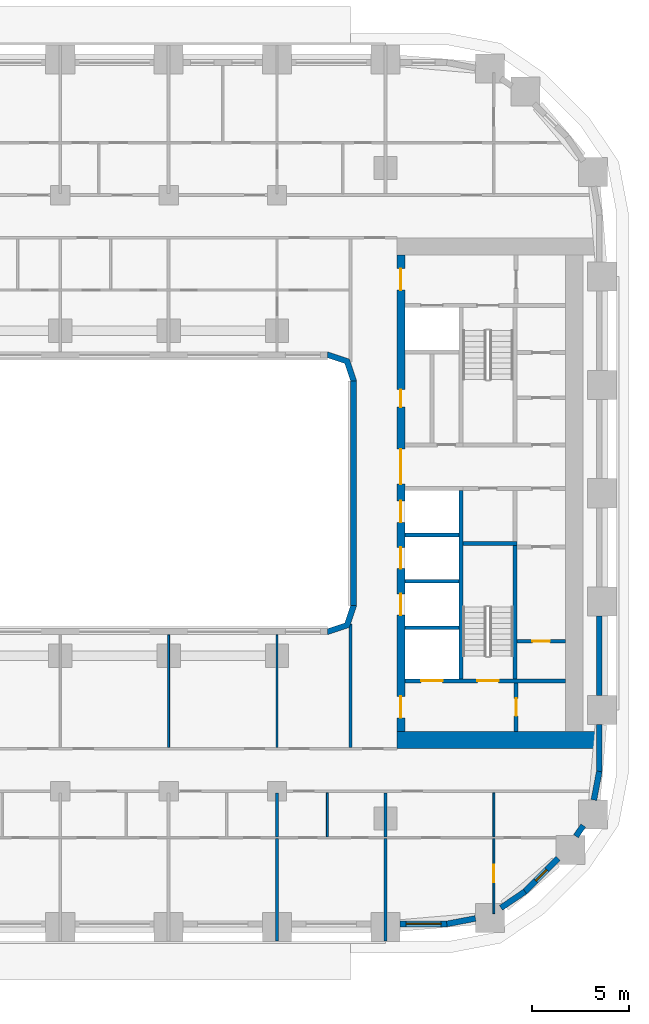
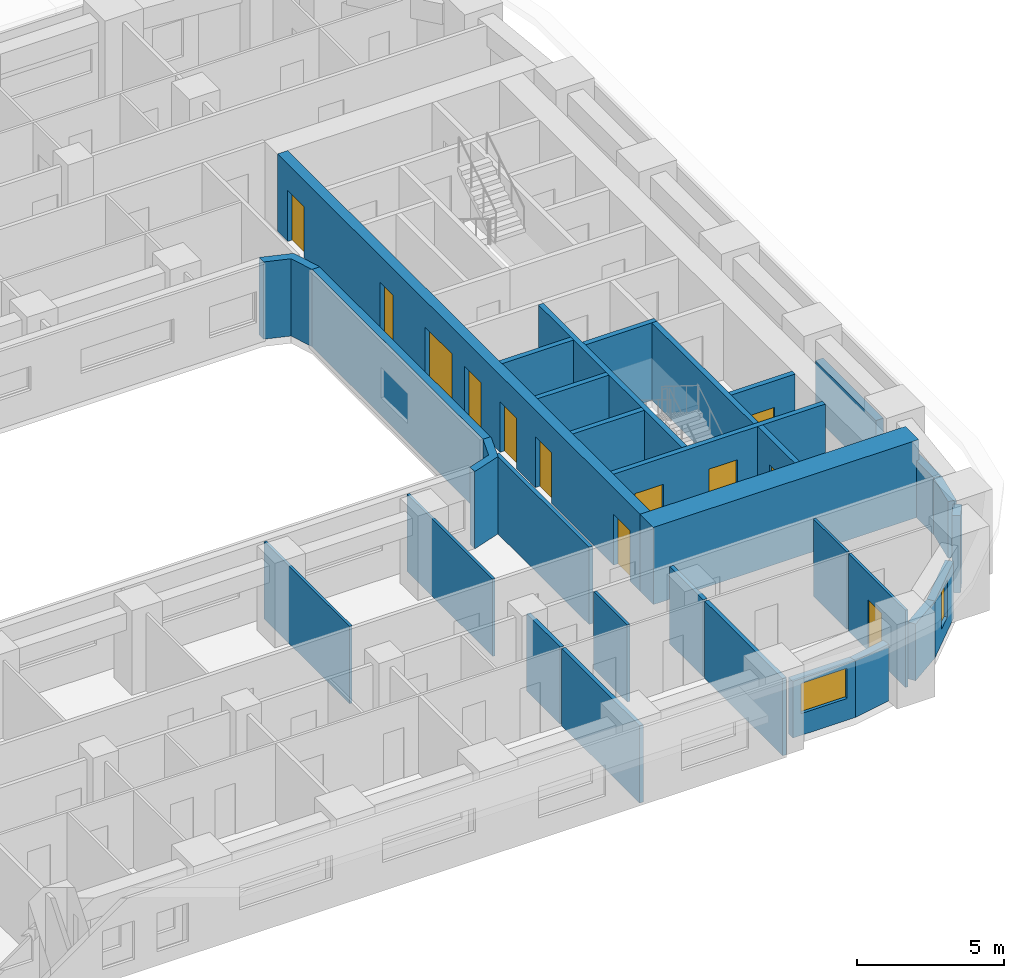
# One storey, part 6 of 21: 32 walls, 12 doors, 2 windows, 14 openings.
"""IFC4 building model written with IfcOpenShell, lengths in metres."""

from ifc_helpers import new_model, si_unit, direction, frame, frame_2d, origin, place, context, subcontext, project, spatial, polyline, rectangle, outline, extrude, material, layer, layer_set, type_object, element, fill, save


model = new_model("IFC4")

# Units and contexts
model_context = context("Model", 3, precision=1e-05, world=origin(), true_north=direction((0.0, 1.0)))
body_context = subcontext(model_context, "Body", "Model", "MODEL_VIEW")
ifc_project = project(units=[si_unit("LENGTHUNIT", "METRE"), si_unit("AREAUNIT", "SQUARE_METRE"), si_unit("VOLUMEUNIT", "CUBIC_METRE"), si_unit("PLANEANGLEUNIT", "RADIAN"), si_unit("MASSUNIT", "GRAM", prefix="KILO")], contexts=[model_context])

# Site, building, storey
site_placement = place(None, origin())
site = spatial("IfcSite", under=ifc_project, at=site_placement, CompositionType="ELEMENT")
building_placement = place(site_placement, origin())
building = spatial("IfcBuilding", under=site, at=building_placement, Name="Kiln Ring Residences", CompositionType="ELEMENT")
storey_placement = place(building_placement, frame((0.0, 0.0, 41.0)))
storey = spatial("IfcBuildingStorey", under=building, at=storey_placement, Name="L09", CompositionType="ELEMENT", Elevation=41.0)

# Wall, opening, door
ifc_material_1 = material(Name="Gypsum board on steel studs", Category="steel")
ifc_layer_1 = layer(ifc_material_1, 0.199951171875)
ifc_layer_set_1 = layer_set([ifc_layer_1], Name="CORE-PARTITION-200")
wall_type_1 = type_object("IfcWallType", Name="CORE-PARTITION-200", PredefinedType="PARTITIONING", material=ifc_layer_set_1)
wall_1_placement = place(storey_placement, frame((23.550048828125, -12.300048828125, 0.0), z_axis=(0.0, 0.0, 1.0), x_axis=(0.0, 1.0, 0.0)))
wall_1 = element("IfcWall", 1, at=wall_1_placement, inside=storey, type_object=wall_type_1, Name="Core partition east L09 5", PredefinedType="PARTITIONING", context=body_context, shape_type="SweptSolid", body=[
    extrude(rectangle(XDim=2.5, YDim=0.199951171875, at=frame_2d((1.25, 0.0))), origin(), (0.0, 0.0, 1.0), 3.199951171875),
])
opening_1_placement = place(wall_1_placement, frame((0.800048828125, 0.0, 0.0)))
opening_1 = element("IfcOpeningElement", 2, at=opening_1_placement, cuts=wall_1, Name="Opening L09-CE11", PredefinedType="OPENING", context=body_context, shape_type="SweptSolid", body=[
    extrude(rectangle(XDim=0.89990234375, YDim=2.10009765625, at=frame_2d((0.449951171875, 1.050048828125))), frame((0.0, 0.10986328125, 0.0), z_axis=(0.0, -1.0, 0.0), x_axis=(1.0, 0.0, 0.0)), (0.0, 0.0, 1.0), 0.219970703125),
])
ifc_material_2 = material(Name="Steel door leaf", Category="steel")
door_type_1 = type_object("IfcDoorType", Name="CORE-DOOR-ROOM", OperationType="SINGLE_SWING_LEFT", PredefinedType="DOOR", material=ifc_material_2)
door_1_placement = place(opening_1_placement, origin())
door_1 = element("IfcDoor", 3, at=door_1_placement, inside=storey, type_object=door_type_1, Name="Store L09-CE11", OperationType="SINGLE_SWING_RIGHT", OverallHeight=2.10009765625, OverallWidth=0.89990234375, PredefinedType="DOOR", context=body_context, shape_type="SweptSolid", body=[
    extrude(rectangle(XDim=0.89990234375, YDim=2.10009765625, at=frame_2d((0.449951171875, 1.050048828125))), frame((0.0, 0.02490234375, 0.0), z_axis=(0.0, -1.0, 0.0), x_axis=(1.0, 0.0, 0.0)), (0.0, 0.0, 1.0), 0.050048828125),
])
fill(opening_1, door_1)

wall_2_placement = place(storey_placement, frame((23.60009765625, -7.64990234375, 0.0), z_axis=(0.0, 0.0, 1.0), x_axis=(1.0, 0.0, 0.0)))
wall_2 = element("IfcWall", 4, at=wall_2_placement, inside=storey, type_object=wall_type_1, Name="Core partition east L09 6", PredefinedType="PARTITIONING", context=body_context, shape_type="SweptSolid", body=[
    extrude(rectangle(XDim=2.5, YDim=0.199951171875, at=frame_2d((1.25, 0.0))), origin(), (0.0, 0.0, 1.0), 3.199951171875),
])
opening_2_placement = place(wall_2_placement, frame((0.800048828125, 0.0, 0.0)))
opening_2 = element("IfcOpeningElement", 5, at=opening_2_placement, cuts=wall_2, Name="Opening L09-CE16", PredefinedType="OPENING", context=body_context, shape_type="SweptSolid", body=[
    extrude(rectangle(XDim=0.89990234375, YDim=2.10009765625, at=frame_2d((0.449951171875, 1.050048828125))), frame((0.0, 0.10986328125, 0.0), z_axis=(0.0, -1.0, 0.0), x_axis=(1.0, 0.0, 0.0)), (0.0, 0.0, 1.0), 0.219970703125),
])
door_2_placement = place(opening_2_placement, origin())
door_2 = element("IfcDoor", 6, at=door_2_placement, inside=storey, type_object=door_type_1, Name="Plant room L09-CE16", OperationType="SINGLE_SWING_RIGHT", OverallHeight=2.10009765625, OverallWidth=0.89990234375, PredefinedType="DOOR", context=body_context, shape_type="SweptSolid", body=[
    extrude(rectangle(XDim=0.89990234375, YDim=2.10009765625, at=frame_2d((0.449951171875, 1.050048828125))), frame((0.0, 0.02490234375, 0.0), z_axis=(0.0, -1.0, 0.0), x_axis=(1.0, 0.0, 0.0)), (0.0, 0.0, 1.0), 0.050048828125),
])
fill(opening_2, door_2)

# Walls
ifc_material_3 = material(Name="Gypsum shaft wall system")
ifc_layer_2 = layer(ifc_material_3, 0.199951171875)
ifc_layer_set_2 = layer_set([ifc_layer_2], Name="CORE-SHAFT-WALL-200")
wall_type_2 = type_object("IfcWallType", Name="CORE-SHAFT-WALL-200", PredefinedType="PARTITIONING", material=ifc_layer_set_2)
for number, where, z_axis, x_axis, name in (
    (7, (17.800048828125, -6.949951171875, 0.0), (0.0, 0.0, 1.0), (1.0, 0.0, 0.0), "Core partition east L09 10"),
    (8, (17.800048828125, -4.550048828125, 0.0), (0.0, 0.0, 1.0), (1.0, 0.0, 0.0), "Core partition east L09 11"),
    (9, (17.800048828125, -2.14990234375, 0.0), (0.0, 0.0, 1.0), (1.0, 0.0, 0.0), "Core partition east L09 12"),
):
    element("IfcWall", number, at=place(storey_placement, frame(where, z_axis=z_axis, x_axis=x_axis)), inside=storey, type_object=wall_type_2, Name=name, PredefinedType="PARTITIONING", context=body_context, shape_type="SweptSolid", body=[
        extrude(rectangle(XDim=2.800048828125, YDim=0.199951171875, at=frame_2d((1.39990234375, 0.0))), origin(), (0.0, 0.0, 1.0), 3.199951171875),
    ])
ifc_material_4 = material(Name="Concrete C40/50", Category="concrete")
ifc_layer_3 = layer(ifc_material_4, 0.199951171875)
ifc_layer_set_3 = layer_set([ifc_layer_3], Name="CORE-WALL-RC200")
wall_type_3 = type_object("IfcWallType", Name="CORE-WALL-RC200", PredefinedType="SHEAR", material=ifc_layer_set_3)
wall_3_placement = place(storey_placement, frame((20.699951171875, -9.60009765625, 0.0), z_axis=(0.0, 0.0, 1.0), x_axis=(0.0, 1.0, 0.0)))
element("IfcWall", 10, at=wall_3_placement, inside=storey, type_object=wall_type_3, Name="Core wall east L09 2", PredefinedType="SHEAR", context=body_context, shape_type="SweptSolid", body=[
    extrude(rectangle(XDim=9.75, YDim=0.199951171875, at=frame_2d((4.875, 0.0))), origin(), (0.0, 0.0, 1.0), 3.199951171875),
])

# Wall, openings, doors
wall_4_placement = place(storey_placement, frame((17.800048828125, -9.699951171875, 0.0), z_axis=(0.0, 0.0, 1.0), x_axis=(1.0, 0.0, 0.0)))
wall_4 = element("IfcWall", 11, at=wall_4_placement, inside=storey, type_object=wall_type_3, Name="Core wall east L09 8", PredefinedType="SHEAR", context=body_context, shape_type="SweptSolid", body=[
    extrude(rectangle(XDim=8.300048828125, YDim=0.199951171875, at=frame_2d((4.14990234375, 0.0))), origin(), (0.0, 0.0, 1.0), 3.199951171875),
])
opening_3_placement = place(wall_4_placement, frame((0.85009765625, 0.0, 0.0)))
opening_3 = element("IfcOpeningElement", 12, at=opening_3_placement, cuts=wall_4, Name="Opening L09-CE01", PredefinedType="OPENING", context=body_context, shape_type="SweptSolid", body=[
    extrude(rectangle(XDim=1.10009765625, YDim=2.10009765625, at=frame_2d((0.550048828125, 1.050048828125))), frame((0.0, 0.10986328125, 0.0), z_axis=(0.0, -1.0, 0.0), x_axis=(1.0, 0.0, 0.0)), (0.0, 0.0, 1.0), 0.219970703125),
])
opening_4_placement = place(wall_4_placement, frame((3.75, 0.0, 0.0)))
opening_4 = element("IfcOpeningElement", 13, at=opening_4_placement, cuts=wall_4, Name="Opening L09-CE13", PredefinedType="OPENING", context=body_context, shape_type="SweptSolid", body=[
    extrude(rectangle(XDim=1.10009765625, YDim=2.10009765625, at=frame_2d((0.550048828125, 1.050048828125))), frame((0.0, 0.10986328125, 0.0), z_axis=(0.0, -1.0, 0.0), x_axis=(1.0, 0.0, 0.0)), (0.0, 0.0, 1.0), 0.219970703125),
])
ifc_material_5 = material(Name="Steel door leaf", Category="steel")
door_type_2 = type_object("IfcDoorType", Name="CORE-DOOR-LD", OperationType="DOUBLE_DOOR_SLIDING", PredefinedType="DOOR", material=ifc_material_5)
door_3_placement = place(opening_3_placement, origin())
door_3 = element("IfcDoor", 14, at=door_3_placement, inside=storey, type_object=door_type_2, Name="LD E-SV L09-CE01", OperationType="DOUBLE_DOOR_SLIDING", OverallHeight=2.10009765625, OverallWidth=1.10009765625, PredefinedType="DOOR", context=body_context, shape_type="SweptSolid", body=[
    extrude(rectangle(XDim=1.10009765625, YDim=2.10009765625, at=frame_2d((0.550048828125, 1.050048828125))), frame((0.0, 0.02490234375, 0.0), z_axis=(0.0, -1.0, 0.0), x_axis=(1.0, 0.0, 0.0)), (0.0, 0.0, 1.0), 0.050048828125),
])
fill(opening_3, door_3)
ifc_material_6 = material(Name="Steel door leaf", Category="steel")
door_type_3 = type_object("IfcDoorType", Name="CORE-DOOR-STAIR", OperationType="SINGLE_SWING_LEFT", PredefinedType="DOOR", material=ifc_material_6)
door_4_placement = place(opening_4_placement, origin())
door_4 = element("IfcDoor", 15, at=door_4_placement, inside=storey, type_object=door_type_3, Name="Stair E-STS L09-CE13", OperationType="SINGLE_SWING_LEFT", OverallHeight=2.10009765625, OverallWidth=1.10009765625, PredefinedType="DOOR", context=body_context, shape_type="SweptSolid", body=[
    extrude(rectangle(XDim=1.10009765625, YDim=2.10009765625, at=frame_2d((0.550048828125, 1.050048828125))), frame((0.0, 0.02490234375, 0.0), z_axis=(0.0, -1.0, 0.0), x_axis=(1.0, 0.0, 0.0)), (0.0, 0.0, 1.0), 0.050048828125),
])
fill(opening_4, door_4)

# Walls
wall_5_placement = place(storey_placement, frame((23.5, -9.60009765625, 0.0), z_axis=(0.0, 0.0, 1.0), x_axis=(0.0, 1.0, 0.0)))
element("IfcWall", 16, at=wall_5_placement, inside=storey, type_object=wall_type_3, Name="Core wall east L09 11", PredefinedType="SHEAR", context=body_context, shape_type="SweptSolid", body=[
    extrude(rectangle(XDim=6.900146484375, YDim=0.199951171875, at=frame_2d((3.4501953125, 0.0))), origin(), (0.0, 0.0, 1.0), 3.199951171875),
])
wall_6_placement = place(storey_placement, frame((20.800048828125, -2.60009765625, 0.0), z_axis=(0.0, 0.0, 1.0), x_axis=(1.0, 0.0, 0.0)))
element("IfcWall", 17, at=wall_6_placement, inside=storey, type_object=wall_type_3, Name="Core wall east L09 12", PredefinedType="SHEAR", context=body_context, shape_type="SweptSolid", body=[
    extrude(rectangle(XDim=2.800048828125, YDim=0.199951171875, at=frame_2d((1.39990234375, 0.0))), origin(), (0.0, 0.0, 1.0), 3.199951171875),
])

# Wall, openings, doors
ifc_material_7 = material(Name="Concrete C60/75", Category="concrete")
ifc_layer_4 = layer(ifc_material_7, 0.39990234375)
ifc_layer_set_4 = layer_set([ifc_layer_4], Name="CORE-WALL-RC400")
wall_type_4 = type_object("IfcWallType", Name="CORE-WALL-RC400", PredefinedType="SHEAR", material=ifc_layer_set_4)
wall_7_placement = place(storey_placement, frame((17.60009765625, -12.300048828125, 0.0), z_axis=(0.0, 0.0, 1.0), x_axis=(0.0, 1.0, 0.0)))
wall_7 = element("IfcWall", 18, at=wall_7_placement, inside=storey, type_object=wall_type_4, Name="Core wall east L09 6", PredefinedType="SHEAR", context=body_context, shape_type="SweptSolid", body=[
    extrude(rectangle(XDim=24.60009765625, YDim=0.39990234375, at=frame_2d((12.300048828125, 0.0))), origin(), (0.0, 0.0, 1.0), 3.199951171875),
])
opening_5_placement = place(wall_7_placement, frame((6.0, 0.0, 0.0)))
opening_5 = element("IfcOpeningElement", 19, at=opening_5_placement, cuts=wall_7, Name="Opening L09-CE02", PredefinedType="OPENING", context=body_context, shape_type="SweptSolid", body=[
    extrude(rectangle(XDim=1.10009765625, YDim=2.10009765625, at=frame_2d((0.550048828125, 1.050048828125))), frame((0.0, 0.2099609375, 0.0), z_axis=(0.0, -1.0, 0.0), x_axis=(1.0, 0.0, 0.0)), (0.0, 0.0, 1.0), 0.419921875),
])
opening_6_placement = place(wall_7_placement, frame((8.39990234375, 0.0, 0.0)))
opening_6 = element("IfcOpeningElement", 20, at=opening_6_placement, cuts=wall_7, Name="Opening L09-CE03", PredefinedType="OPENING", context=body_context, shape_type="SweptSolid", body=[
    extrude(rectangle(XDim=1.10009765625, YDim=2.10009765625, at=frame_2d((0.550048828125, 1.050048828125))), frame((0.0, 0.2099609375, 0.0), z_axis=(0.0, -1.0, 0.0), x_axis=(1.0, 0.0, 0.0)), (0.0, 0.0, 1.0), 0.419921875),
])
opening_7_placement = place(wall_7_placement, frame((10.800048828125, 0.0, 0.0)))
opening_7 = element("IfcOpeningElement", 21, at=opening_7_placement, cuts=wall_7, Name="Opening L09-CE04", PredefinedType="OPENING", context=body_context, shape_type="SweptSolid", body=[
    extrude(rectangle(XDim=1.10009765625, YDim=2.10009765625, at=frame_2d((0.550048828125, 1.050048828125))), frame((0.0, 0.2099609375, 0.0), z_axis=(0.0, -1.0, 0.0), x_axis=(1.0, 0.0, 0.0)), (0.0, 0.0, 1.0), 0.419921875),
])
opening_8_placement = place(wall_7_placement, frame((16.75, 0.0, 0.0)))
opening_8 = element("IfcOpeningElement", 22, at=opening_8_placement, cuts=wall_7, Name="Opening L09-CE05", PredefinedType="OPENING", context=body_context, shape_type="SweptSolid", body=[
    extrude(rectangle(XDim=0.89990234375, YDim=2.10009765625, at=frame_2d((0.449951171875, 1.050048828125))), frame((0.0, 0.2099609375, 0.0), z_axis=(0.0, -1.0, 0.0), x_axis=(1.0, 0.0, 0.0)), (0.0, 0.0, 1.0), 0.419921875),
])
opening_9_placement = place(wall_7_placement, frame((22.800048828125, 0.0, 0.0)))
opening_9 = element("IfcOpeningElement", 23, at=opening_9_placement, cuts=wall_7, Name="Opening L09-CE08", PredefinedType="OPENING", context=body_context, shape_type="SweptSolid", body=[
    extrude(rectangle(XDim=1.10009765625, YDim=2.10009765625, at=frame_2d((0.550048828125, 1.050048828125))), frame((0.0, 0.2099609375, 0.0), z_axis=(0.0, -1.0, 0.0), x_axis=(1.0, 0.0, 0.0)), (0.0, 0.0, 1.0), 0.419921875),
])
opening_10_placement = place(wall_7_placement, frame((0.699951171875, 0.0, 0.0)))
opening_10 = element("IfcOpeningElement", 24, at=opening_10_placement, cuts=wall_7, Name="Opening L09-CE09", PredefinedType="OPENING", context=body_context, shape_type="SweptSolid", body=[
    extrude(rectangle(XDim=1.10009765625, YDim=2.10009765625, at=frame_2d((0.550048828125, 1.050048828125))), frame((0.0, 0.2099609375, 0.0), z_axis=(0.0, -1.0, 0.0), x_axis=(1.0, 0.0, 0.0)), (0.0, 0.0, 1.0), 0.419921875),
])
opening_11_placement = place(wall_7_placement, frame((12.77490234375, 0.0, 0.0)))
opening_11 = element("IfcOpeningElement", 25, at=opening_11_placement, cuts=wall_7, Name="Opening L09-CE14", PredefinedType="OPENING", context=body_context, shape_type="SweptSolid", body=[
    extrude(rectangle(XDim=1.800048828125, YDim=2.10009765625, at=frame_2d((0.89990234375, 1.050048828125))), frame((0.0, 0.2099609375, 0.0), z_axis=(0.0, -1.0, 0.0), x_axis=(1.0, 0.0, 0.0)), (0.0, 0.0, 1.0), 0.419921875),
])
door_5_placement = place(opening_5_placement, origin())
door_5 = element("IfcDoor", 26, at=door_5_placement, inside=storey, type_object=door_type_2, Name="LD E-L1 L09-CE02", OperationType="DOUBLE_DOOR_SLIDING", OverallHeight=2.10009765625, OverallWidth=1.10009765625, PredefinedType="DOOR", context=body_context, shape_type="SweptSolid", body=[
    extrude(rectangle(XDim=1.10009765625, YDim=2.10009765625, at=frame_2d((0.550048828125, 1.050048828125))), frame((0.0, 0.02490234375, 0.0), z_axis=(0.0, -1.0, 0.0), x_axis=(1.0, 0.0, 0.0)), (0.0, 0.0, 1.0), 0.050048828125),
])
fill(opening_5, door_5)
door_6_placement = place(opening_6_placement, origin())
door_6 = element("IfcDoor", 27, at=door_6_placement, inside=storey, type_object=door_type_2, Name="LD E-L2 L09-CE03", OperationType="DOUBLE_DOOR_SLIDING", OverallHeight=2.10009765625, OverallWidth=1.10009765625, PredefinedType="DOOR", context=body_context, shape_type="SweptSolid", body=[
    extrude(rectangle(XDim=1.10009765625, YDim=2.10009765625, at=frame_2d((0.550048828125, 1.050048828125))), frame((0.0, 0.02490234375, 0.0), z_axis=(0.0, -1.0, 0.0), x_axis=(1.0, 0.0, 0.0)), (0.0, 0.0, 1.0), 0.050048828125),
])
fill(opening_6, door_6)
door_7_placement = place(opening_7_placement, origin())
door_7 = element("IfcDoor", 28, at=door_7_placement, inside=storey, type_object=door_type_2, Name="LD E-L3 L09-CE04", OperationType="DOUBLE_DOOR_SLIDING", OverallHeight=2.10009765625, OverallWidth=1.10009765625, PredefinedType="DOOR", context=body_context, shape_type="SweptSolid", body=[
    extrude(rectangle(XDim=1.10009765625, YDim=2.10009765625, at=frame_2d((0.550048828125, 1.050048828125))), frame((0.0, 0.02490234375, 0.0), z_axis=(0.0, -1.0, 0.0), x_axis=(1.0, 0.0, 0.0)), (0.0, 0.0, 1.0), 0.050048828125),
])
fill(opening_7, door_7)
ifc_material_8 = material(Name="Steel door leaf", Category="steel")
door_type_4 = type_object("IfcDoorType", Name="CORE-DOOR-LOBBY", OperationType="SINGLE_SWING_LEFT", PredefinedType="DOOR", material=ifc_material_8)
door_8_placement = place(opening_9_placement, origin())
door_8 = element("IfcDoor", 29, at=door_8_placement, inside=storey, type_object=door_type_4, Name="FFL L09-CE08", OperationType="SINGLE_SWING_RIGHT", OverallHeight=2.10009765625, OverallWidth=1.10009765625, PredefinedType="DOOR", context=body_context, shape_type="SweptSolid", body=[
    extrude(rectangle(XDim=1.10009765625, YDim=2.10009765625, at=frame_2d((0.550048828125, 1.050048828125))), frame((0.0, 0.02490234375, 0.0), z_axis=(0.0, -1.0, 0.0), x_axis=(1.0, 0.0, 0.0)), (0.0, 0.0, 1.0), 0.050048828125),
])
fill(opening_9, door_8)
door_9_placement = place(opening_10_placement, origin())
door_9 = element("IfcDoor", 30, at=door_9_placement, inside=storey, type_object=door_type_4, Name="SVL L09-CE09", OperationType="SINGLE_SWING_LEFT", OverallHeight=2.10009765625, OverallWidth=1.10009765625, PredefinedType="DOOR", context=body_context, shape_type="SweptSolid", body=[
    extrude(rectangle(XDim=1.10009765625, YDim=2.10009765625, at=frame_2d((0.550048828125, 1.050048828125))), frame((0.0, 0.02490234375, 0.0), z_axis=(0.0, -1.0, 0.0), x_axis=(1.0, 0.0, 0.0)), (0.0, 0.0, 1.0), 0.050048828125),
])
fill(opening_10, door_9)
ifc_material_9 = material(Name="Steel door leaf", Category="steel")
door_type_5 = type_object("IfcDoorType", Name="CORE-DOOR-PASS", OperationType="DOUBLE_DOOR_SINGLE_SWING", PredefinedType="DOOR", material=ifc_material_9)
door_10_placement = place(opening_11_placement, origin())
door_10 = element("IfcDoor", 31, at=door_10_placement, inside=storey, type_object=door_type_5, Name="Core passage L09-CE14", OperationType="DOUBLE_DOOR_SINGLE_SWING", OverallHeight=2.10009765625, OverallWidth=1.800048828125, PredefinedType="DOOR", context=body_context, shape_type="SweptSolid", body=[
    extrude(rectangle(XDim=1.800048828125, YDim=2.10009765625, at=frame_2d((0.89990234375, 1.050048828125))), frame((0.0, 0.02490234375, 0.0), z_axis=(0.0, -1.0, 0.0), x_axis=(1.0, 0.0, 0.0)), (0.0, 0.0, 1.0), 0.050048828125),
])
fill(opening_11, door_10)
door_11_placement = place(opening_8_placement, origin())
door_11 = element("IfcDoor", 32, at=door_11_placement, inside=storey, type_object=door_type_1, Name="Storage room L09-CE05", OperationType="SINGLE_SWING_RIGHT", OverallHeight=2.10009765625, OverallWidth=0.89990234375, PredefinedType="DOOR", context=body_context, shape_type="SweptSolid", body=[
    extrude(rectangle(XDim=0.89990234375, YDim=2.10009765625, at=frame_2d((0.449951171875, 1.050048828125))), frame((0.0, 0.02490234375, 0.0), z_axis=(0.0, -1.0, 0.0), x_axis=(1.0, 0.0, 0.0)), (0.0, 0.0, 1.0), 0.050048828125),
])
fill(opening_8, door_11)

# Wall
ifc_material_10 = material(Name="Concrete C60/75", Category="concrete")
ifc_layer_5 = layer(ifc_material_10, 0.89990234375)
ifc_layer_set_5 = layer_set([ifc_layer_5], Name="CORE-WALL-RC900")
wall_type_5 = type_object("IfcWallType", Name="CORE-WALL-RC900", PredefinedType="SHEAR", material=ifc_layer_set_5)
wall_8_placement = place(storey_placement, frame((17.39990234375, -12.75, 0.0), z_axis=(0.0, 0.0, 1.0), x_axis=(1.0, 0.0, 0.0)))
element("IfcWall", 33, at=wall_8_placement, inside=storey, type_object=wall_type_5, Name="Core wall east L09 5", PredefinedType="SHEAR", context=body_context, shape_type="SweptSolid", body=[
    extrude(rectangle(XDim=10.400146484375, YDim=0.89990234375, at=frame_2d((5.2001953125, 0.0))), origin(), (0.0, 0.0, 1.0), 3.199951171875),
])

# Wall, opening, window
ifc_material_11 = material(Name="Brick masonry, dark clay brick", Category="masonry")
ifc_layer_6 = layer(ifc_material_11, 0.300048828125)
ifc_layer_set_6 = layer_set([ifc_layer_6], Name="EW-300 BRICK WALL")
wall_type_6 = type_object("IfcWallType", Name="EW-300 BRICK WALL", PredefinedType="SOLIDWALL", material=ifc_layer_set_6)
wall_9_placement = place(storey_placement, frame((17.550048828125, -22.25, 0.0), z_axis=(0.0, 0.0, 1.0), x_axis=(1.0, 0.0, 0.0)))
wall_9 = element("IfcWall", 34, at=wall_9_placement, inside=storey, type_object=wall_type_6, Name="Facade wall L09 11", PredefinedType="SOLIDWALL", context=body_context, shape_type="SweptSolid", body=[
    extrude(rectangle(XDim=2.449951171875, YDim=0.300048828125, at=frame_2d((1.22509765625, 0.0))), origin(), (0.0, 0.0, 1.0), 2.35009765625),
])
opening_12_placement = place(wall_9_placement, frame((0.324951171875, 0.0, 0.89990234375)))
opening_12 = element("IfcOpeningElement", 35, at=opening_12_placement, cuts=wall_9, Name="Opening W2", PredefinedType="OPENING", context=body_context, shape_type="SweptSolid", body=[
    extrude(rectangle(XDim=1.800048828125, YDim=1.25, at=frame_2d((0.89990234375, 0.625))), frame((0.0, 0.159912109375, 0.0), z_axis=(0.0, -1.0, 0.0), x_axis=(1.0, 0.0, 0.0)), (0.0, 0.0, 1.0), 0.320068359375),
])
ifc_material_12 = material(Name="Aluminium frame with double glazing", Category="aluminium")
window_type_1 = type_object("IfcWindowType", Name="WINDOW 1800 x 1250", PartitioningType="SINGLE_PANEL", PredefinedType="WINDOW", material=ifc_material_12)
window_1_placement = place(opening_12_placement, origin())
window_1 = element("IfcWindow", 36, at=window_1_placement, inside=storey, type_object=window_type_1, Name="Window L09 10", OverallHeight=1.25, OverallWidth=1.800048828125, PartitioningType="SINGLE_PANEL", PredefinedType="WINDOW", context=body_context, shape_type="SweptSolid", body=[
    extrude(rectangle(XDim=1.800048828125, YDim=1.25, at=frame_2d((0.89990234375, 0.625))), frame((0.0, 0.030029296875, 0.0), z_axis=(0.0, -1.0, 0.0), x_axis=(1.0, 0.0, 0.0)), (0.0, 0.0, 1.0), 0.06005859375),
])
fill(opening_12, window_1)

# Walls
for number, where, z_axis, x_axis, name in (
    (37, (19.971923828125, -22.252685546875, 0.0), (0.0, 0.0, 1.0), (0.982287454367, 0.187380247071, 0.0), "Facade wall L09 12"),
    (38, (22.76708984375, -21.425537109375, 0.0), (0.0, 0.0, 1.0), (0.827028997312, 0.562159263559, 0.0), "Facade wall L09 13"),
):
    element("IfcWall", number, at=place(storey_placement, frame(where, z_axis=z_axis, x_axis=x_axis)), inside=storey, type_object=wall_type_6, Name=name, PredefinedType="SOLIDWALL", context=body_context, shape_type="SweptSolid", body=[
        extrude(rectangle(XDim=1.506103515625, YDim=0.300048828125, at=frame_2d((0.7529296875, 0.0))), origin(), (0.0, 0.0, 1.0), 2.35009765625),
    ])

# Wall, opening, window
wall_10_placement = place(storey_placement, frame((23.990966796875, -20.596923828125, 0.0), z_axis=(0.0, 0.0, 1.0), x_axis=(0.707106781187, 0.707106781187, 0.0)))
wall_10 = element("IfcWall", 39, at=wall_10_placement, inside=storey, type_object=wall_type_6, Name="Facade wall L09 14", PredefinedType="SOLIDWALL", context=body_context, shape_type="SweptSolid", body=[
    extrude(rectangle(XDim=2.449951171875, YDim=0.300048828125, at=frame_2d((1.22509765625, 0.0))), origin(), (0.0, 0.0, 1.0), 2.35009765625),
])
opening_13_placement = place(wall_10_placement, frame((0.824951171875, 0.0, 0.60009765625)))
opening_13 = element("IfcOpeningElement", 40, at=opening_13_placement, cuts=wall_10, Name="Opening W5", PredefinedType="OPENING", context=body_context, shape_type="SweptSolid", body=[
    extrude(rectangle(XDim=0.800048828125, YDim=1.550048828125, at=frame_2d((0.39990234375, 0.77490234375))), frame((0.0, 0.159912109375, 0.0), z_axis=(0.0, -1.0, 0.0), x_axis=(1.0, 0.0, 0.0)), (0.0, 0.0, 1.0), 0.320068359375),
])
ifc_material_13 = material(Name="Aluminium frame with double glazing", Category="aluminium")
window_type_2 = type_object("IfcWindowType", Name="WINDOW 800 x 1550", PartitioningType="SINGLE_PANEL", PredefinedType="WINDOW", material=ifc_material_13)
window_2_placement = place(opening_13_placement, origin())
window_2 = element("IfcWindow", 41, at=window_2_placement, inside=storey, type_object=window_type_2, Name="Window L09 11", OverallHeight=1.550048828125, OverallWidth=0.800048828125, PartitioningType="SINGLE_PANEL", PredefinedType="WINDOW", context=body_context, shape_type="SweptSolid", body=[
    extrude(rectangle(XDim=0.800048828125, YDim=1.550048828125, at=frame_2d((0.39990234375, 0.77490234375))), frame((0.0, 0.030029296875, 0.0), z_axis=(0.0, -1.0, 0.0), x_axis=(1.0, 0.0, 0.0)), (0.0, 0.0, 1.0), 0.06005859375),
])
fill(opening_13, window_2)

# Walls
wall_11_placement = place(storey_placement, frame((26.644775390625, -17.72705078125, 0.0), z_axis=(0.0, 0.0, 1.0), x_axis=(0.562083182981, 0.827080706709, 0.0)))
element("IfcWall", 42, at=wall_11_placement, inside=storey, type_object=wall_type_6, Name="Facade wall L09 15", PredefinedType="SOLIDWALL", context=body_context, shape_type="SweptSolid", body=[
    extrude(rectangle(XDim=0.67724609375, YDim=0.300048828125, at=frame_2d((0.338623046875, 0.0))), origin(), (0.0, 0.0, 1.0), 3.199951171875),
])
wall_12_placement = place(storey_placement, frame((27.570556640625, -15.851318359375, 0.0), z_axis=(0.0, 0.0, 1.0), x_axis=(0.187223837635, 0.982317277982, 0.0)))
element("IfcWall", 43, at=wall_12_placement, inside=storey, type_object=wall_type_6, Name="Facade wall L09 16", PredefinedType="SOLIDWALL", context=body_context, shape_type="SweptSolid", body=[
    extrude(rectangle(XDim=1.506103515625, YDim=0.300048828125, at=frame_2d((0.7529296875, 0.0))), origin(), (0.0, 0.0, 1.0), 2.35009765625),
])
wall_13_placement = place(storey_placement, frame((27.85009765625, -14.39990234375, 0.0), z_axis=(0.0, 0.0, 1.0), x_axis=(0.0, 1.0, 0.0)))
element("IfcWall", 44, at=wall_13_placement, inside=storey, type_object=wall_type_6, Name="Facade wall L09 17", PredefinedType="SOLIDWALL", context=body_context, shape_type="SweptSolid", body=[
    extrude(rectangle(XDim=2.449951171875, YDim=0.300048828125, at=frame_2d((1.22509765625, 0.0))), origin(), (0.0, 0.0, 1.0), 2.35009765625),
])
wall_14_placement = place(storey_placement, frame((27.85009765625, -10.449951171875, 0.0), z_axis=(0.0, 0.0, 1.0), x_axis=(0.0, 1.0, 0.0)))
element("IfcWall", 45, at=wall_14_placement, inside=storey, type_object=wall_type_6, Name="Facade wall L09 18", PredefinedType="SOLIDWALL", context=body_context, shape_type="SweptSolid", body=[
    extrude(rectangle(XDim=4.099853515625, YDim=0.300048828125, at=frame_2d((2.0498046875, 0.0))), origin(), (0.0, 0.0, 1.0), 2.35009765625),
])
wall_15_placement = place(storey_placement, frame((15.14990234375, 5.800048828125, 0.0), z_axis=(0.0, 0.0, 1.0), x_axis=(0.0, -1.0, 0.0)))
element("IfcWall", 46, at=wall_15_placement, inside=storey, type_object=wall_type_6, Name="Facade wall L09 51", PredefinedType="SOLIDWALL", context=body_context, shape_type="SweptSolid", body=[
    extrude(rectangle(XDim=11.60009765625, YDim=0.300048828125, at=frame_2d((5.800048828125, 0.0))), origin(), (0.0, 0.0, 1.0), 3.199951171875),
])
placement = place(storey_placement, origin())
element("IfcWall", 47, at=placement, inside=storey, type_object=wall_type_6, Name="Corner wall L09 2", PredefinedType="SOLIDWALL", context=body_context, shape_type="SweptSolid", body=[
    extrude(outline(polyline([(14.937255859375, 6.937255859375), (13.8486328125, 7.300048828125), (13.800048828125, 7.300048828125), (13.800048828125, 7.0), (14.699951171875, 6.699951171875), (15.0, 5.800048828125), (15.300048828125, 5.800048828125), (15.300048828125, 5.8486328125), (14.937255859375, 6.937255859375)])), origin(), (0.0, 0.0, 1.0), 3.199951171875),
])
element("IfcWall", 48, at=placement, inside=storey, type_object=wall_type_6, Name="Corner wall L09 3", PredefinedType="SOLIDWALL", context=body_context, shape_type="SweptSolid", body=[
    extrude(outline(polyline([(14.937255859375, -6.937255859375), (15.300048828125, -5.8486328125), (15.300048828125, -5.800048828125), (15.0, -5.800048828125), (14.699951171875, -6.699951171875), (13.800048828125, -7.0), (13.800048828125, -7.300048828125), (13.8486328125, -7.300048828125), (14.937255859375, -6.937255859375)])), origin(), (0.0, 0.0, 1.0), 3.199951171875),
])
ifc_material_14 = material(Name="Gypsum board on steel studs", Category="steel")
ifc_layer_7 = layer(ifc_material_14, 0.10009765625)
ifc_layer_set_7 = layer_set([ifc_layer_7], Name="PARTITION-100")
wall_type_7 = type_object("IfcWallType", Name="PARTITION-100", PredefinedType="PARTITIONING", material=ifc_layer_set_7)
for number, where, z_axis, x_axis, name in (
    (49, (5.60009765625, -13.125, 0.0), (0.0, 0.0, 1.0), (0.0, 1.0, 0.0), "Partition 048"),
    (50, (11.199951171875, -13.125, 0.0), (0.0, 0.0, 1.0), (0.0, 1.0, 0.0), "Partition 057"),
):
    element("IfcWall", number, at=place(storey_placement, frame(where, z_axis=z_axis, x_axis=x_axis)), inside=storey, type_object=wall_type_7, Name=name, PredefinedType="PARTITIONING", context=body_context, shape_type="SweptSolid", body=[
        extrude(rectangle(XDim=5.804931640625, YDim=0.10009765625, at=frame_2d((2.90234375, 0.0))), origin(), (0.0, 0.0, 1.0), 3.199951171875),
    ])
wall_18_placement = place(storey_placement, frame((13.800048828125, -17.75, 0.0), z_axis=(0.0, 0.0, 1.0), x_axis=(0.0, 1.0, 0.0)))
element("IfcWall", 51, at=wall_18_placement, inside=storey, type_object=wall_type_7, Name="Partition 064", PredefinedType="PARTITIONING", context=body_context, shape_type="SweptSolid", body=[
    extrude(rectangle(XDim=2.27490234375, YDim=0.10009765625, at=frame_2d((1.137451171875, 0.0))), origin(), (0.0, 0.0, 1.0), 3.199951171875),
])

# Wall, opening, door
wall_19_placement = place(storey_placement, frame((22.39990234375, -21.719970703125, 0.0), z_axis=(0.0, 0.0, 1.0), x_axis=(0.0, 1.0, 0.0)))
wall_19 = element("IfcWall", 52, at=wall_19_placement, inside=storey, type_object=wall_type_7, Name="Partition 072", PredefinedType="PARTITIONING", context=body_context, shape_type="SweptSolid", body=[
    extrude(rectangle(XDim=3.869873046875, YDim=0.10009765625, at=frame_2d((1.93505859375, 0.0))), origin(), (0.0, 0.0, 1.0), 3.199951171875),
])
opening_14_placement = place(wall_19_placement, frame((1.6220703125, 0.0, 0.0)))
opening_14 = element("IfcOpeningElement", 53, at=opening_14_placement, cuts=wall_19, Name="Opening L09-D076", PredefinedType="OPENING", context=body_context, shape_type="SweptSolid", body=[
    extrude(rectangle(XDim=0.89990234375, YDim=2.10009765625, at=frame_2d((0.449951171875, 1.050048828125))), frame((0.0, 0.06005859375, 0.0), z_axis=(0.0, -1.0, 0.0), x_axis=(1.0, 0.0, 0.0)), (0.0, 0.0, 1.0), 0.1201171875),
])
ifc_material_15 = material(Name="Timber door leaf", Category="wood")
door_type_6 = type_object("IfcDoorType", Name="FLAT-DOOR-900-PL", OperationType="SINGLE_SWING_LEFT", PredefinedType="DOOR", material=ifc_material_15)
door_12_placement = place(opening_14_placement, origin())
door_12 = element("IfcDoor", 54, at=door_12_placement, inside=storey, type_object=door_type_6, Name="Door L09-D076", OperationType="SINGLE_SWING_RIGHT", OverallHeight=2.10009765625, OverallWidth=0.89990234375, PredefinedType="DOOR", context=body_context, shape_type="SweptSolid", body=[
    extrude(rectangle(XDim=0.89990234375, YDim=2.10009765625, at=frame_2d((0.449951171875, 1.050048828125))), frame((0.0, 0.02490234375, 0.0), z_axis=(0.0, -1.0, 0.0), x_axis=(1.0, 0.0, 0.0)), (0.0, 0.0, 1.0), 0.050048828125),
])
fill(opening_14, door_12)

# Walls
wall_20_placement = place(storey_placement, frame((22.39990234375, -17.75, 0.0), z_axis=(0.0, 0.0, 1.0), x_axis=(0.0, 1.0, 0.0)))
element("IfcWall", 55, at=wall_20_placement, inside=storey, type_object=wall_type_7, Name="Partition 073", PredefinedType="PARTITIONING", context=body_context, shape_type="SweptSolid", body=[
    extrude(rectangle(XDim=2.27490234375, YDim=0.10009765625, at=frame_2d((1.137451171875, 0.0))), origin(), (0.0, 0.0, 1.0), 3.199951171875),
])
ifc_material_16 = material(Name="Brick masonry partition", Category="masonry")
ifc_layer_8 = layer(ifc_material_16, 0.14990234375)
ifc_layer_set_8 = layer_set([ifc_layer_8], Name="PARTITION-150-ei60")
wall_type_8 = type_object("IfcWallType", Name="PARTITION-150-ei60", PredefinedType="PARTITIONING", material=ifc_layer_set_8)
wall_21_placement = place(storey_placement, frame((11.199951171875, -23.1298828125, 0.0), z_axis=(0.0, 0.0, 1.0), x_axis=(0.0, 1.0, 0.0)))
element("IfcWall", 56, at=wall_21_placement, inside=storey, type_object=wall_type_8, Name="Partition 062", PredefinedType="PARTITIONING", context=body_context, shape_type="SweptSolid", body=[
    extrude(rectangle(XDim=5.27978515625, YDim=0.14990234375, at=frame_2d((2.639892578125, 0.0))), origin(), (0.0, 0.0, 1.0), 3.199951171875),
])
wall_22_placement = place(storey_placement, frame((11.199951171875, -17.75, 0.0), z_axis=(0.0, 0.0, 1.0), x_axis=(0.0, 1.0, 0.0)))
element("IfcWall", 57, at=wall_22_placement, inside=storey, type_object=wall_type_8, Name="Partition 063", PredefinedType="PARTITIONING", context=body_context, shape_type="SweptSolid", body=[
    extrude(rectangle(XDim=2.27490234375, YDim=0.14990234375, at=frame_2d((1.137451171875, 0.0))), origin(), (0.0, 0.0, 1.0), 3.199951171875),
])
wall_23_placement = place(storey_placement, frame((15.0, -13.125, 0.0), z_axis=(0.0, 0.0, 1.0), x_axis=(0.0, 1.0, 0.0)))
element("IfcWall", 58, at=wall_23_placement, inside=storey, type_object=wall_type_8, Name="Partition 066", PredefinedType="PARTITIONING", context=body_context, shape_type="SweptSolid", body=[
    extrude(rectangle(XDim=6.356201171875, YDim=0.14990234375, at=frame_2d((3.17822265625, 0.0))), origin(), (0.0, 0.0, 1.0), 3.199951171875),
])
wall_24_placement = place(storey_placement, frame((16.800048828125, -23.1298828125, 0.0), z_axis=(0.0, 0.0, 1.0), x_axis=(0.0, 1.0, 0.0)))
element("IfcWall", 59, at=wall_24_placement, inside=storey, type_object=wall_type_8, Name="Partition 068", PredefinedType="PARTITIONING", context=body_context, shape_type="SweptSolid", body=[
    extrude(rectangle(XDim=5.27978515625, YDim=0.14990234375, at=frame_2d((2.639892578125, 0.0))), origin(), (0.0, 0.0, 1.0), 3.199951171875),
])
wall_25_placement = place(storey_placement, frame((16.800048828125, -17.75, 0.0), z_axis=(0.0, 0.0, 1.0), x_axis=(0.0, 1.0, 0.0)))
element("IfcWall", 60, at=wall_25_placement, inside=storey, type_object=wall_type_8, Name="Partition 069", PredefinedType="PARTITIONING", context=body_context, shape_type="SweptSolid", body=[
    extrude(rectangle(XDim=2.27490234375, YDim=0.14990234375, at=frame_2d((1.137451171875, 0.0))), origin(), (0.0, 0.0, 1.0), 3.199951171875),
])

save(model, "model.ifc")
